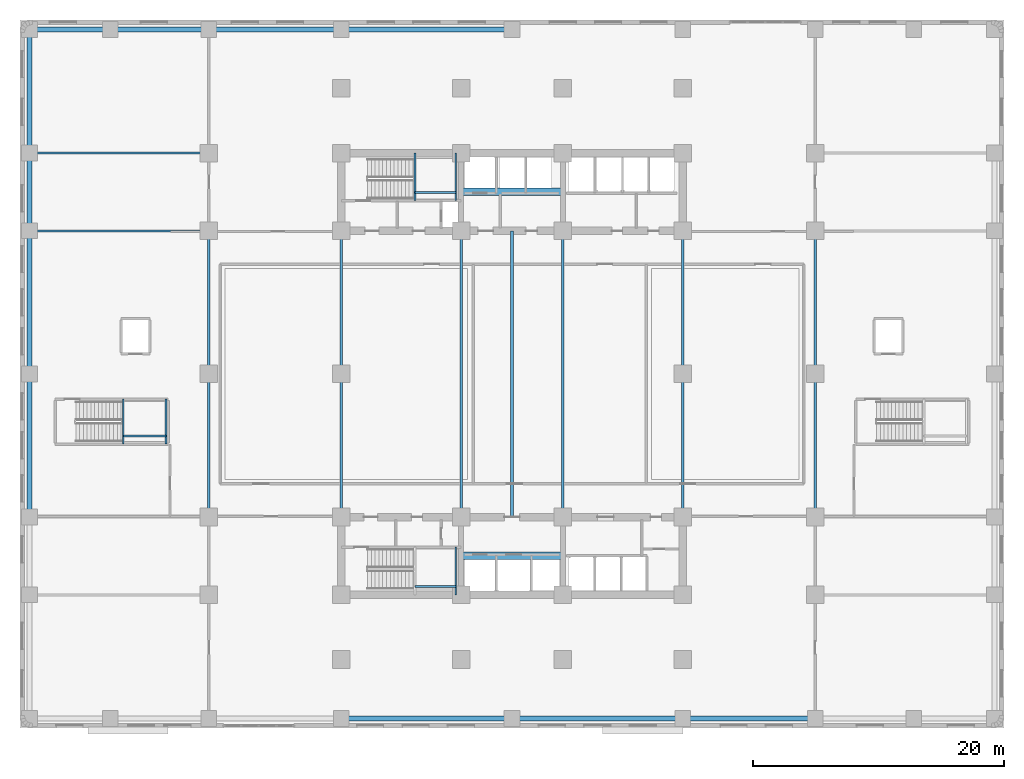
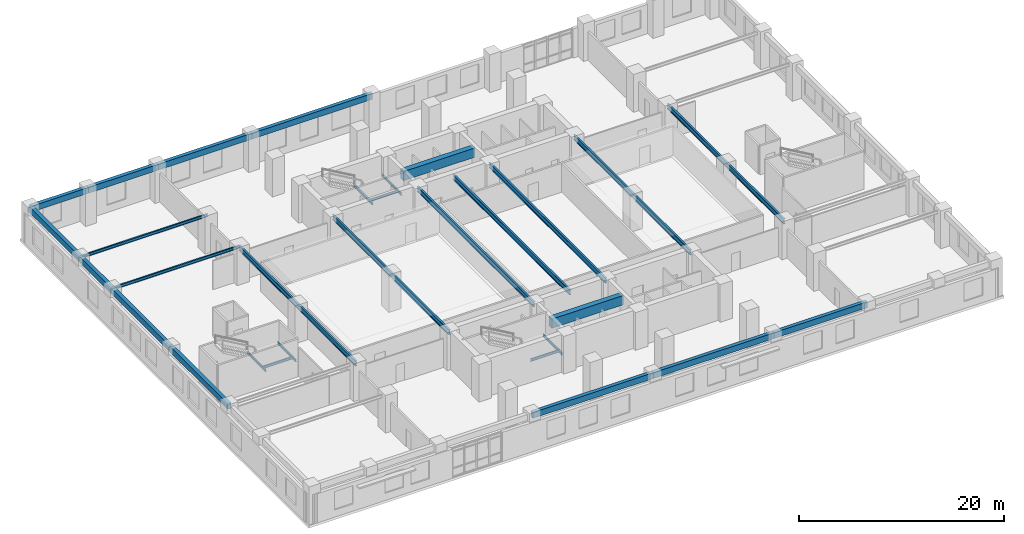
# One storey, part 3 of 15: 30 beams.
"""IFC4 building model written with IfcOpenShell, lengths in metres."""

from ifc_helpers import new_model, si_unit, direction, frame, origin, origin_2d, place, context, subcontext, project, spatial, rectangle, i_section, extrude, material, material_profile, profile_set, type_object, element, save


model = new_model("IFC4")

# Units and contexts
model_context = context("Model", 3, precision=1e-05, world=origin(), true_north=direction((0.0, 1.0)))
body_context = subcontext(model_context, "Body", "Model", "MODEL_VIEW")
ifc_project = project(units=[si_unit("LENGTHUNIT", "METRE"), si_unit("AREAUNIT", "SQUARE_METRE"), si_unit("VOLUMEUNIT", "CUBIC_METRE"), si_unit("PLANEANGLEUNIT", "RADIAN"), si_unit("MASSUNIT", "GRAM", prefix="KILO")], contexts=[model_context])

# Site, building, storey
site_placement = place(None, origin())
site = spatial("IfcSite", under=ifc_project, at=site_placement, CompositionType="ELEMENT")
building_placement = place(site_placement, origin())
building = spatial("IfcBuilding", under=site, at=building_placement, Name="Svetorya Sky Lyceum", CompositionType="ELEMENT")
storey_placement = place(building_placement, frame((0.0, 0.0, 6.60009765625)))
storey = spatial("IfcBuildingStorey", under=building, at=storey_placement, Name="L01", CompositionType="ELEMENT", Elevation=6.60009765625)

# Beams
ifc_material_1 = material(Name="Concrete C60/75", Category="concrete")
ifc_material_profile_1 = material_profile(ifc_material_1, rectangle(XDim=0.60009765625, YDim=1.10009765625, at=origin_2d()), Name="RC COUPLING 600x1100")
ifc_profile_set_1 = profile_set([ifc_material_profile_1], Name="Concrete C60/75")
beam_type_1 = type_object("IfcBeamType", Name="BM-CPL-1100", PredefinedType="LINTEL", material=ifc_profile_set_1)
for number, where, z_axis, x_axis, name in (
    (1, (35.14990234375, 13.699951171875, 3.64990234375), (1.0, 0.0, 0.0), (0.0, 1.0, 0.0), "L01 SC Core Coupling Beam"),
    (2, (35.14990234375, 42.699951171875, 3.64990234375), (1.0, 0.0, 0.0), (0.0, 1.0, 0.0), "L01 NC Core Coupling Beam"),
):
    element("IfcBeam", number, at=place(storey_placement, frame(where, z_axis=z_axis, x_axis=x_axis)), inside=storey, type_object=beam_type_1, Name=name, PredefinedType="LINTEL", context=body_context, shape_type="SweptSolid", body=[
        extrude(rectangle(XDim=0.60009765625, YDim=1.10009765625, at=origin_2d()), origin(), (0.0, 0.0, 1.0), 8.10009765625),
    ])
ifc_material_2 = material(Name="Concrete C50/60", Category="concrete")
ifc_material_profile_2 = material_profile(ifc_material_2, rectangle(XDim=0.39990234375, YDim=0.699951171875, at=origin_2d()), Name="RC SPANDREL 400x700")
ifc_profile_set_2 = profile_set([ifc_material_profile_2], Name="Concrete C50/60")
beam_type_2 = type_object("IfcBeamType", Name="BM-SPN-700", PredefinedType="SPANDREL", material=ifc_profile_set_2)
beam_1_placement = place(storey_placement, frame((0.75, 55.64990234375, 3.849853515625), z_axis=(1.0, 0.0, 0.0), x_axis=(0.0, 1.0, 0.0)))
element("IfcBeam", 3, at=beam_1_placement, inside=storey, type_object=beam_type_2, Name="L01 Podium North Spandrel 1", PredefinedType="SPANDREL", context=body_context, shape_type="SweptSolid", body=[
    extrude(rectangle(XDim=0.39990234375, YDim=0.699951171875, at=origin_2d()), origin(), (0.0, 0.0, 1.0), 6.449951171875),
])
beam_2_placement = place(storey_placement, frame((7.199951171875, 55.64990234375, 3.849853515625), z_axis=(1.0, 0.0, 0.0), x_axis=(0.0, 1.0, 0.0)))
element("IfcBeam", 4, at=beam_2_placement, inside=storey, type_object=beam_type_2, Name="L01 Podium North Spandrel 2", PredefinedType="SPANDREL", context=body_context, shape_type="SweptSolid", body=[
    extrude(rectangle(XDim=0.39990234375, YDim=0.699951171875, at=origin_2d()), origin(), (0.0, 0.0, 1.0), 7.85009765625),
])
beam_3_placement = place(storey_placement, frame((15.050048828125, 55.64990234375, 3.849853515625), z_axis=(1.0, 0.0, 0.0), x_axis=(0.0, 1.0, 0.0)))
element("IfcBeam", 5, at=beam_3_placement, inside=storey, type_object=beam_type_2, Name="L01 Podium North Spandrel 3", PredefinedType="SPANDREL", context=body_context, shape_type="SweptSolid", body=[
    extrude(rectangle(XDim=0.39990234375, YDim=0.699951171875, at=origin_2d()), origin(), (0.0, 0.0, 1.0), 10.550048828125),
])
for number, where, z_axis, x_axis, name in (
    (6, (25.60009765625, 0.75, 3.849853515625), (1.0, 0.0, 0.0), (0.0, 1.0, 0.0), "L01 Podium South Spandrel 4"),
    (7, (25.60009765625, 55.64990234375, 3.849853515625), (1.0, 0.0, 0.0), (0.0, 1.0, 0.0), "L01 Podium North Spandrel 4"),
):
    element("IfcBeam", number, at=place(storey_placement, frame(where, z_axis=z_axis, x_axis=x_axis)), inside=storey, type_object=beam_type_2, Name=name, PredefinedType="SPANDREL", context=body_context, shape_type="SweptSolid", body=[
        extrude(rectangle(XDim=0.39990234375, YDim=0.699951171875, at=origin_2d()), origin(), (0.0, 0.0, 1.0), 13.599853515625),
    ])
beam_4_placement = place(storey_placement, frame((39.199951171875, 0.75, 3.849853515625), z_axis=(1.0, 0.0, 0.0), x_axis=(0.0, 1.0, 0.0)))
element("IfcBeam", 8, at=beam_4_placement, inside=storey, type_object=beam_type_2, Name="L01 Podium South Spandrel 5", PredefinedType="SPANDREL", context=body_context, shape_type="SweptSolid", body=[
    extrude(rectangle(XDim=0.39990234375, YDim=0.699951171875, at=origin_2d()), origin(), (0.0, 0.0, 1.0), 13.60009765625),
])
beam_5_placement = place(storey_placement, frame((52.800048828125, 0.75, 3.849853515625), z_axis=(1.0, 0.0, 0.0), x_axis=(0.0, 1.0, 0.0)))
element("IfcBeam", 9, at=beam_5_placement, inside=storey, type_object=beam_type_2, Name="L01 Podium South Spandrel 6", PredefinedType="SPANDREL", context=body_context, shape_type="SweptSolid", body=[
    extrude(rectangle(XDim=0.39990234375, YDim=0.699951171875, at=origin_2d()), origin(), (0.0, 0.0, 1.0), 10.550048828125),
])
beam_6_placement = place(storey_placement, frame((0.75, 16.800048828125, 3.849853515625), z_axis=(0.0, 1.0, 0.0), x_axis=(-1.0, 0.0, 0.0)))
element("IfcBeam", 10, at=beam_6_placement, inside=storey, type_object=beam_type_2, Name="L01 Podium West Spandrel 3", PredefinedType="SPANDREL", context=body_context, shape_type="SweptSolid", body=[
    extrude(rectangle(XDim=0.39990234375, YDim=0.699951171875, at=origin_2d()), origin(), (0.0, 0.0, 1.0), 11.39990234375),
])
beam_7_placement = place(storey_placement, frame((0.75, 28.199951171875, 3.849853515625), z_axis=(0.0, 1.0, 0.0), x_axis=(-1.0, 0.0, 0.0)))
element("IfcBeam", 11, at=beam_7_placement, inside=storey, type_object=beam_type_2, Name="L01 Podium West Spandrel 4", PredefinedType="SPANDREL", context=body_context, shape_type="SweptSolid", body=[
    extrude(rectangle(XDim=0.39990234375, YDim=0.699951171875, at=origin_2d()), origin(), (0.0, 0.0, 1.0), 11.400146484375),
])
beam_8_placement = place(storey_placement, frame((0.75, 39.60009765625, 3.849853515625), z_axis=(0.0, 1.0, 0.0), x_axis=(-1.0, 0.0, 0.0)))
element("IfcBeam", 12, at=beam_8_placement, inside=storey, type_object=beam_type_2, Name="L01 Podium West Spandrel 5", PredefinedType="SPANDREL", context=body_context, shape_type="SweptSolid", body=[
    extrude(rectangle(XDim=0.39990234375, YDim=0.699951171875, at=origin_2d()), origin(), (0.0, 0.0, 1.0), 6.199951171875),
])
beam_9_placement = place(storey_placement, frame((0.75, 45.800048828125, 3.849853515625), z_axis=(0.0, 1.0, 0.0), x_axis=(-1.0, 0.0, 0.0)))
element("IfcBeam", 13, at=beam_9_placement, inside=storey, type_object=beam_type_2, Name="L01 Podium West Spandrel 6", PredefinedType="SPANDREL", context=body_context, shape_type="SweptSolid", body=[
    extrude(rectangle(XDim=0.39990234375, YDim=0.699951171875, at=origin_2d()), origin(), (0.0, 0.0, 1.0), 9.849853515625),
])
ifc_material_3 = material(Name="Steel S355", Category="steel")
ifc_material_profile_3 = material_profile(ifc_material_3, i_section(OverallWidth=0.14990234375, OverallDepth=0.299072265625, WebThickness=0.006591796875, FlangeThickness=0.010498046875, at=origin_2d()), Name="GOST 30B2")
ifc_profile_set_3 = profile_set([ifc_material_profile_3], Name="Steel S355")
beam_type_3 = type_object("IfcBeamType", Name="BM-STL-30B2", PredefinedType="JOIST", material=ifc_profile_set_3)
beam_10_placement = place(storey_placement, frame((34.719970703125, 10.60009765625, 1.900390625), z_axis=(0.0, 1.0, 0.0), x_axis=(-1.0, 0.0, 0.0)))
element("IfcBeam", 14, at=beam_10_placement, inside=storey, type_object=beam_type_3, Name="L01 Stair ST-S Half-Landing Support Beam 3.2", PredefinedType="JOIST", context=body_context, shape_type="SweptSolid", body=[
    extrude(i_section(OverallWidth=0.14990234375, OverallDepth=0.299072265625, WebThickness=0.006591796875, FlangeThickness=0.010498046875, at=origin_2d()), origin(), (0.0, 0.0, 1.0), 3.7998046875),
])
beam_11_placement = place(storey_placement, frame((31.47998046875, 11.25, 1.900390625), z_axis=(1.0, 0.0, 0.0), x_axis=(0.0, 1.0, 0.0)))
element("IfcBeam", 15, at=beam_11_placement, inside=storey, type_object=beam_type_3, Name="L01 Stair ST-S Half-Landing Cross Tie 3", PredefinedType="JOIST", context=body_context, shape_type="SweptSolid", body=[
    extrude(i_section(OverallWidth=0.14990234375, OverallDepth=0.299072265625, WebThickness=0.006591796875, FlangeThickness=0.010498046875, at=origin_2d()), origin(), (0.0, 0.0, 1.0), 3.239990234375),
])
for number, where, z_axis, x_axis, name in (
    (16, (31.47998046875, 42.0, 1.900390625), (0.0, 1.0, 0.0), (-1.0, 0.0, 0.0), "L01 Stair ST-N Half-Landing Support Beam 3.1"),
    (17, (34.719970703125, 42.0, 1.900390625), (0.0, 1.0, 0.0), (-1.0, 0.0, 0.0), "L01 Stair ST-N Half-Landing Support Beam 3.2"),
):
    element("IfcBeam", number, at=place(storey_placement, frame(where, z_axis=z_axis, x_axis=x_axis)), inside=storey, type_object=beam_type_3, Name=name, PredefinedType="JOIST", context=body_context, shape_type="SweptSolid", body=[
        extrude(i_section(OverallWidth=0.14990234375, OverallDepth=0.299072265625, WebThickness=0.006591796875, FlangeThickness=0.010498046875, at=origin_2d()), origin(), (0.0, 0.0, 1.0), 3.800048828125),
    ])
beam_12_placement = place(storey_placement, frame((31.47998046875, 42.64990234375, 1.900390625), z_axis=(1.0, 0.0, 0.0), x_axis=(0.0, 1.0, 0.0)))
element("IfcBeam", 18, at=beam_12_placement, inside=storey, type_object=beam_type_3, Name="L01 Stair ST-N Half-Landing Cross Tie 3", PredefinedType="JOIST", context=body_context, shape_type="SweptSolid", body=[
    extrude(i_section(OverallWidth=0.14990234375, OverallDepth=0.299072265625, WebThickness=0.006591796875, FlangeThickness=0.010498046875, at=origin_2d()), origin(), (0.0, 0.0, 1.0), 3.239990234375),
])
for number, where, z_axis, x_axis, name in (
    (19, (8.22998046875, 22.60009765625, 1.900390625), (0.0, 1.0, 0.0), (-1.0, 0.0, 0.0), "L01 Stair ST-SCH-W Half-Landing Support Beam 2.1"),
    (20, (11.6201171875, 22.60009765625, 1.900390625), (0.0, 1.0, 0.0), (-1.0, 0.0, 0.0), "L01 Stair ST-SCH-W Half-Landing Support Beam 2.2"),
):
    element("IfcBeam", number, at=place(storey_placement, frame(where, z_axis=z_axis, x_axis=x_axis)), inside=storey, type_object=beam_type_3, Name=name, PredefinedType="JOIST", context=body_context, shape_type="SweptSolid", body=[
        extrude(i_section(OverallWidth=0.14990234375, OverallDepth=0.299072265625, WebThickness=0.006591796875, FlangeThickness=0.010498046875, at=origin_2d()), origin(), (0.0, 0.0, 1.0), 3.599853515625),
    ])
beam_13_placement = place(storey_placement, frame((8.22998046875, 23.25, 1.900390625), z_axis=(1.0, 0.0, 0.0), x_axis=(0.0, 1.0, 0.0)))
element("IfcBeam", 21, at=beam_13_placement, inside=storey, type_object=beam_type_3, Name="L01 Stair ST-SCH-W Half-Landing Cross Tie 2", PredefinedType="JOIST", context=body_context, shape_type="SweptSolid", body=[
    extrude(i_section(OverallWidth=0.14990234375, OverallDepth=0.299072265625, WebThickness=0.006591796875, FlangeThickness=0.010498046875, at=origin_2d()), origin(), (0.0, 0.0, 1.0), 3.39013671875),
])
ifc_material_profile_4 = material_profile(ifc_material_3, i_section(OverallWidth=0.155029296875, OverallDepth=0.34912109375, WebThickness=0.007080078125, FlangeThickness=0.011474609375, at=origin_2d()), Name="GOST 35B2")
ifc_profile_set_4 = profile_set([ifc_material_profile_4], Name="Steel S355")
beam_type_4 = type_object("IfcBeamType", Name="BM-STL-35B2", PredefinedType="JOIST", material=ifc_profile_set_4)
for number, where, z_axis, x_axis, name in (
    (22, (0.75, 39.60009765625, 4.025390625), (1.0, 0.0, 0.0), (0.0, 1.0, 0.0), "L01 Podium Wing Joist W3"),
    (23, (0.75, 45.800048828125, 4.025390625), (1.0, 0.0, 0.0), (0.0, 1.0, 0.0), "L01 Podium Wing Joist W4"),
):
    element("IfcBeam", number, at=place(storey_placement, frame(where, z_axis=z_axis, x_axis=x_axis)), inside=storey, type_object=beam_type_4, Name=name, PredefinedType="JOIST", context=body_context, shape_type="SweptSolid", body=[
        extrude(i_section(OverallWidth=0.155029296875, OverallDepth=0.34912109375, WebThickness=0.007080078125, FlangeThickness=0.011474609375, at=origin_2d()), origin(), (0.0, 0.0, 1.0), 14.300048828125),
    ])
ifc_material_profile_5 = material_profile(ifc_material_3, i_section(OverallWidth=0.215087890625, OverallDepth=0.60009765625, WebThickness=0.011962890625, FlangeThickness=0.01904296875, at=origin_2d()), Name="GOST 60B2")
ifc_profile_set_5 = profile_set([ifc_material_profile_5], Name="Steel S355")
beam_type_5 = type_object("IfcBeamType", Name="BM-STL-60B2", PredefinedType="BEAM", material=ifc_profile_set_5)
for number, where, z_axis, x_axis, name in (
    (24, (15.050048828125, 16.800048828125, 3.89990234375), (0.0, 1.0, 0.0), (-1.0, 0.0, 0.0), "L01 Lyceum Hall Steel Girder HG-1"),
    (25, (25.60009765625, 16.800048828125, 3.89990234375), (0.0, 1.0, 0.0), (-1.0, 0.0, 0.0), "L01 Lyceum Hall Steel Girder HG-2"),
    (26, (35.14990234375, 16.800048828125, 3.89990234375), (0.0, 1.0, 0.0), (-1.0, 0.0, 0.0), "L01 Lyceum Hall Steel Girder HG-3"),
    (27, (39.199951171875, 16.800048828125, 3.89990234375), (0.0, 1.0, 0.0), (-1.0, 0.0, 0.0), "L01 Lyceum Hall Steel Girder HG-4"),
    (28, (43.25, 16.800048828125, 3.89990234375), (0.0, 1.0, 0.0), (-1.0, 0.0, 0.0), "L01 Lyceum Hall Steel Girder HG-5"),
    (29, (52.800048828125, 16.800048828125, 3.89990234375), (0.0, 1.0, 0.0), (-1.0, 0.0, 0.0), "L01 Lyceum Hall Steel Girder HG-6"),
    (30, (63.35009765625, 16.800048828125, 3.89990234375), (0.0, 1.0, 0.0), (-1.0, 0.0, 0.0), "L01 Lyceum Hall Steel Girder HG-7"),
):
    element("IfcBeam", number, at=place(storey_placement, frame(where, z_axis=z_axis, x_axis=x_axis)), inside=storey, type_object=beam_type_5, Name=name, PredefinedType="BEAM", context=body_context, shape_type="SweptSolid", body=[
        extrude(i_section(OverallWidth=0.215087890625, OverallDepth=0.60009765625, WebThickness=0.011962890625, FlangeThickness=0.01904296875, at=origin_2d()), origin(), (0.0, 0.0, 1.0), 22.800048828125),
    ])

save(model, "model.ifc")
